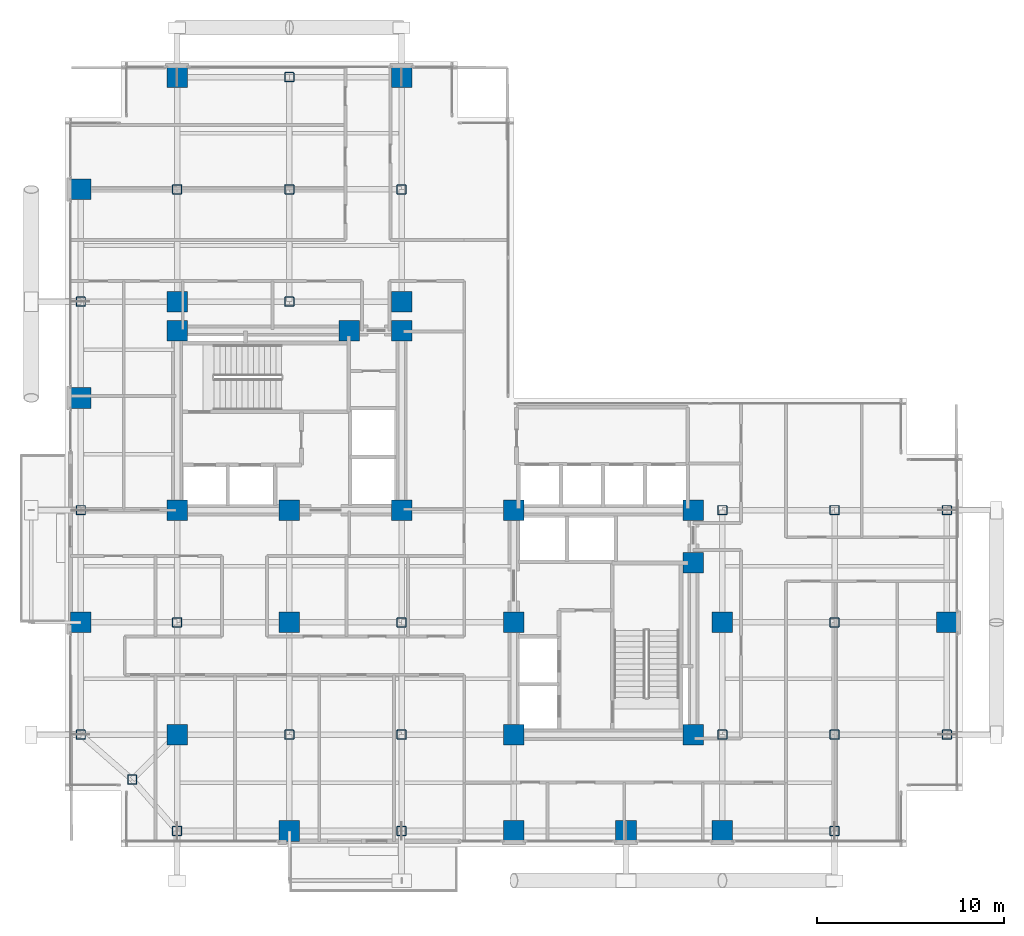
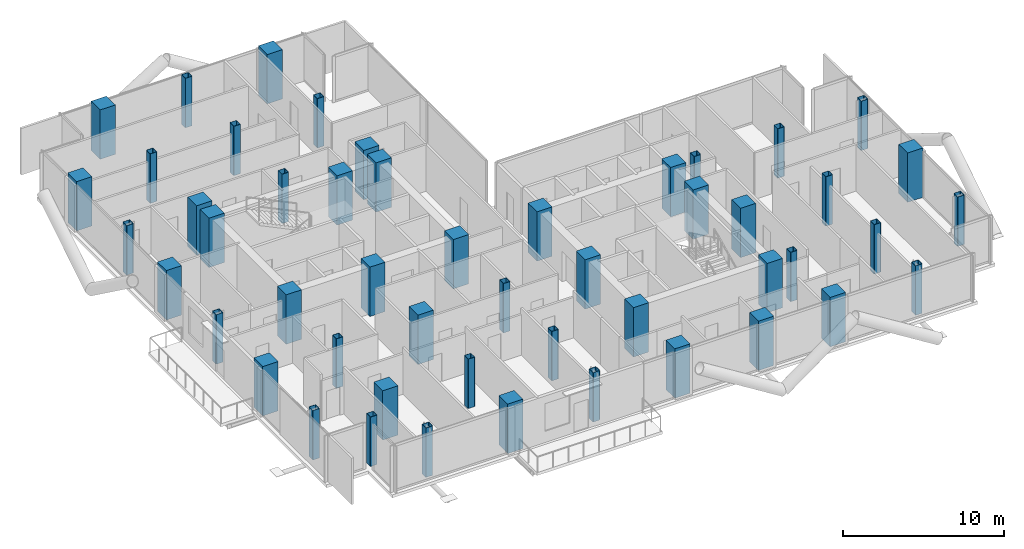
# One storey, part 1 of 24: 50 columns.
"""IFC4 building model written with IfcOpenShell, lengths in metres."""

from ifc_helpers import new_model, si_unit, direction, frame, origin, origin_2d, place, context, subcontext, project, spatial, rectangle, hollow_rectangle, extrude, material, material_profile, profile_set, type_object, element, save


model = new_model("IFC4")

# Units and contexts
model_context = context("Model", 3, precision=1e-05, world=origin(), true_north=direction((0.0, 1.0)))
body_context = subcontext(model_context, "Body", "Model", "MODEL_VIEW")
ifc_project = project(units=[si_unit("LENGTHUNIT", "METRE"), si_unit("AREAUNIT", "SQUARE_METRE"), si_unit("VOLUMEUNIT", "CUBIC_METRE"), si_unit("PLANEANGLEUNIT", "RADIAN"), si_unit("MASSUNIT", "GRAM", prefix="KILO"), si_unit("THERMODYNAMICTEMPERATUREUNIT", "KELVIN"), si_unit("POWERUNIT", "WATT")], contexts=[model_context])

# Site, building, storey
site_placement = place(None, origin())
site = spatial("IfcSite", under=ifc_project, at=site_placement, CompositionType="ELEMENT")
building_placement = place(site_placement, origin())
building = spatial("IfcBuilding", under=site, at=building_placement, Name="Svarakhadi Broadcast Tower", CompositionType="ELEMENT")
storey_placement = place(building_placement, frame((0.0, 0.0, 156.89990234375)))
storey = spatial("IfcBuildingStorey", under=building, at=storey_placement, Name="L38", CompositionType="ELEMENT", Elevation=156.89990234375)

# Columns
ifc_material_1 = material(Name="Concrete C50/60 (IS 456 M60)", Category="concrete")
ifc_material_profile_1 = material_profile(ifc_material_1, rectangle(XDim=1.10009765625, YDim=1.10009765625, at=origin_2d()), Name="RC 1100x1100")
ifc_profile_set_1 = profile_set([ifc_material_profile_1], Name="Concrete C50/60 (IS 456 M60)")
column_type_1 = type_object("IfcColumnType", Name="Col_RC1100", PredefinedType="COLUMN", material=ifc_profile_set_1)
for number, where, z_axis, x_axis, name in (
    (1, (6.0, 18.0, 0.0), (0.0, 0.0, 1.0), (1.0, 0.0, 0.0), "L38 Column CW1"),
    (2, (12.0, 18.0, 0.0), (0.0, 0.0, 1.0), (1.0, 0.0, 0.0), "L38 Column CW2"),
    (3, (18.0, 18.0, 0.0), (0.0, 0.0, 1.0), (1.0, 0.0, 0.0), "L38 Column CW3"),
    (4, (6.0, 27.60009765625, 0.0), (0.0, 0.0, 1.0), (1.0, 0.0, 0.0), "L38 Column CW4"),
    (5, (15.199951171875, 27.60009765625, 0.0), (0.0, 0.0, 1.0), (1.0, 0.0, 0.0), "L38 Column CW5"),
    (6, (18.0, 27.60009765625, 0.0), (0.0, 0.0, 1.0), (1.0, 0.0, 0.0), "L38 Column CW6"),
    (7, (24.0, 6.0, 0.0), (0.0, 0.0, 1.0), (1.0, 0.0, 0.0), "L38 Column CE1"),
    (8, (24.0, 12.0, 0.0), (0.0, 0.0, 1.0), (1.0, 0.0, 0.0), "L38 Column CE2"),
    (9, (24.0, 18.0, 0.0), (0.0, 0.0, 1.0), (1.0, 0.0, 0.0), "L38 Column CE3"),
    (10, (33.60009765625, 6.0, 0.0), (0.0, 0.0, 1.0), (1.0, 0.0, 0.0), "L38 Column CE4"),
    (11, (33.60009765625, 15.199951171875, 0.0), (0.0, 0.0, 1.0), (1.0, 0.0, 0.0), "L38 Column CE5"),
    (12, (33.60009765625, 18.0, 0.0), (0.0, 0.0, 1.0), (1.0, 0.0, 0.0), "L38 Column CE6"),
    (13, (0.85009765625, 12.0, 0.0), (0.0, 0.0, 1.0), (1.0, 0.0, 0.0), "L38 Column G04"),
    (14, (0.85009765625, 24.0, 0.0), (0.0, 0.0, 1.0), (1.0, 0.0, 0.0), "L38 Column G06"),
    (15, (0.85009765625, 35.14990234375, 0.0), (0.0, 0.0, 1.0), (1.0, 0.0, 0.0), "L38 Column G08"),
    (16, (6.0, 6.0, 0.0), (0.0, 0.0, 1.0), (1.0, 0.0, 0.0), "L38 Column G12"),
    (17, (6.0, 29.14990234375, 0.0), (0.0, 0.0, 1.0), (1.0, 0.0, 0.0), "L38 Column G14"),
    (18, (6.0, 41.14990234375, 0.0), (0.0, 0.0, 1.0), (1.0, 0.0, 0.0), "L38 Column G16"),
    (19, (12.0, 0.85009765625, 0.0), (0.0, 0.0, 1.0), (1.0, 0.0, 0.0), "L38 Column G18"),
    (20, (12.0, 12.0, 0.0), (0.0, 0.0, 1.0), (1.0, 0.0, 0.0), "L38 Column G20"),
    (21, (18.0, 29.14990234375, 0.0), (0.0, 0.0, 1.0), (1.0, 0.0, 0.0), "L38 Column G28"),
    (22, (18.0, 41.14990234375, 0.0), (0.0, 0.0, 1.0), (1.0, 0.0, 0.0), "L38 Column G30"),
    (23, (24.0, 0.85009765625, 0.0), (0.0, 0.0, 1.0), (1.0, 0.0, 0.0), "L38 Column G32"),
    (24, (30.0, 0.85009765625, 0.0), (0.0, 0.0, 1.0), (1.0, 0.0, 0.0), "L38 Column G36"),
    (25, (35.14990234375, 0.85009765625, 0.0), (0.0, 0.0, 1.0), (1.0, 0.0, 0.0), "L38 Column G38"),
    (26, (35.14990234375, 12.0, 0.0), (0.0, 0.0, 1.0), (1.0, 0.0, 0.0), "L38 Column G40"),
    (27, (47.14990234375, 12.0, 0.0), (0.0, 0.0, 1.0), (1.0, 0.0, 0.0), "L38 Column G52"),
):
    element("IfcColumn", number, at=place(storey_placement, frame(where, z_axis=z_axis, x_axis=x_axis)), inside=storey, type_object=column_type_1, Name=name, PredefinedType="COLUMN", context=body_context, shape_type="SweptSolid", body=[
        extrude(rectangle(XDim=1.10009765625, YDim=1.10009765625, at=origin_2d()), origin(), (0.0, 0.0, 1.0), 3.75),
    ])
ifc_material_2 = material(Name="Steel S460ML (IS 2062 E450BR)", Category="steel")
ifc_material_profile_2 = material_profile(ifc_material_2, hollow_rectangle(XDim=0.5, YDim=0.5, WallThickness=0.02490234375, InnerFilletRadius=0.02490234375, OuterFilletRadius=0.0400390625, at=origin_2d()), Name="SHS 500x500x25")
ifc_profile_set_2 = profile_set([ifc_material_profile_2], Name="Steel S460ML (IS 2062 E450BR)")
column_type_2 = type_object("IfcColumnType", Name="Col_SHS500", PredefinedType="COLUMN", material=ifc_profile_set_2)
for number, where, z_axis, x_axis, name in (
    (28, (3.60009765625, 3.60009765625, 0.0), (0.0, 0.0, 1.0), (1.0, 0.0, 0.0), "L38 Column G01"),
    (29, (0.85009765625, 6.0, 0.0), (0.0, 0.0, 1.0), (1.0, 0.0, 0.0), "L38 Column G03"),
    (30, (0.85009765625, 18.0, 0.0), (0.0, 0.0, 1.0), (1.0, 0.0, 0.0), "L38 Column G05"),
    (31, (0.85009765625, 29.14990234375, 0.0), (0.0, 0.0, 1.0), (1.0, 0.0, 0.0), "L38 Column G07"),
    (32, (6.0, 0.85009765625, 0.0), (0.0, 0.0, 1.0), (1.0, 0.0, 0.0), "L38 Column G11"),
    (33, (6.0, 12.0, 0.0), (0.0, 0.0, 1.0), (1.0, 0.0, 0.0), "L38 Column G13"),
    (34, (6.0, 35.14990234375, 0.0), (0.0, 0.0, 1.0), (1.0, 0.0, 0.0), "L38 Column G15"),
    (35, (12.0, 6.0, 0.0), (0.0, 0.0, 1.0), (1.0, 0.0, 0.0), "L38 Column G19"),
    (36, (12.0, 29.14990234375, 0.0), (0.0, 0.0, 1.0), (1.0, 0.0, 0.0), "L38 Column G21"),
    (37, (12.0, 35.14990234375, 0.0), (0.0, 0.0, 1.0), (1.0, 0.0, 0.0), "L38 Column G22"),
    (38, (12.0, 41.14990234375, 0.0), (0.0, 0.0, 1.0), (1.0, 0.0, 0.0), "L38 Column G23"),
    (39, (18.0, 0.85009765625, 0.0), (0.0, 0.0, 1.0), (1.0, 0.0, 0.0), "L38 Column G25"),
    (40, (18.0, 6.0, 0.0), (0.0, 0.0, 1.0), (1.0, 0.0, 0.0), "L38 Column G26"),
    (41, (18.0, 12.0, 0.0), (0.0, 0.0, 1.0), (1.0, 0.0, 0.0), "L38 Column G27"),
    (42, (18.0, 35.14990234375, 0.0), (0.0, 0.0, 1.0), (1.0, 0.0, 0.0), "L38 Column G29"),
    (43, (35.14990234375, 6.0, 0.0), (0.0, 0.0, 1.0), (1.0, 0.0, 0.0), "L38 Column G39"),
    (44, (35.14990234375, 18.0, 0.0), (0.0, 0.0, 1.0), (1.0, 0.0, 0.0), "L38 Column G41"),
    (45, (41.14990234375, 0.85009765625, 0.0), (0.0, 0.0, 1.0), (1.0, 0.0, 0.0), "L38 Column G43"),
    (46, (41.14990234375, 6.0, 0.0), (0.0, 0.0, 1.0), (1.0, 0.0, 0.0), "L38 Column G44"),
    (47, (41.14990234375, 12.0, 0.0), (0.0, 0.0, 1.0), (1.0, 0.0, 0.0), "L38 Column G45"),
    (48, (41.14990234375, 18.0, 0.0), (0.0, 0.0, 1.0), (1.0, 0.0, 0.0), "L38 Column G46"),
    (49, (47.14990234375, 6.0, 0.0), (0.0, 0.0, 1.0), (1.0, 0.0, 0.0), "L38 Column G51"),
    (50, (47.14990234375, 18.0, 0.0), (0.0, 0.0, 1.0), (1.0, 0.0, 0.0), "L38 Column G53"),
):
    element("IfcColumn", number, at=place(storey_placement, frame(where, z_axis=z_axis, x_axis=x_axis)), inside=storey, type_object=column_type_2, Name=name, PredefinedType="COLUMN", context=body_context, shape_type="SweptSolid", body=[
        extrude(hollow_rectangle(XDim=0.5, YDim=0.5, WallThickness=0.02490234375, InnerFilletRadius=0.02490234375, OuterFilletRadius=0.0400390625, at=origin_2d()), origin(), (0.0, 0.0, 1.0), 3.75),
    ])

save(model, "model.ifc")
